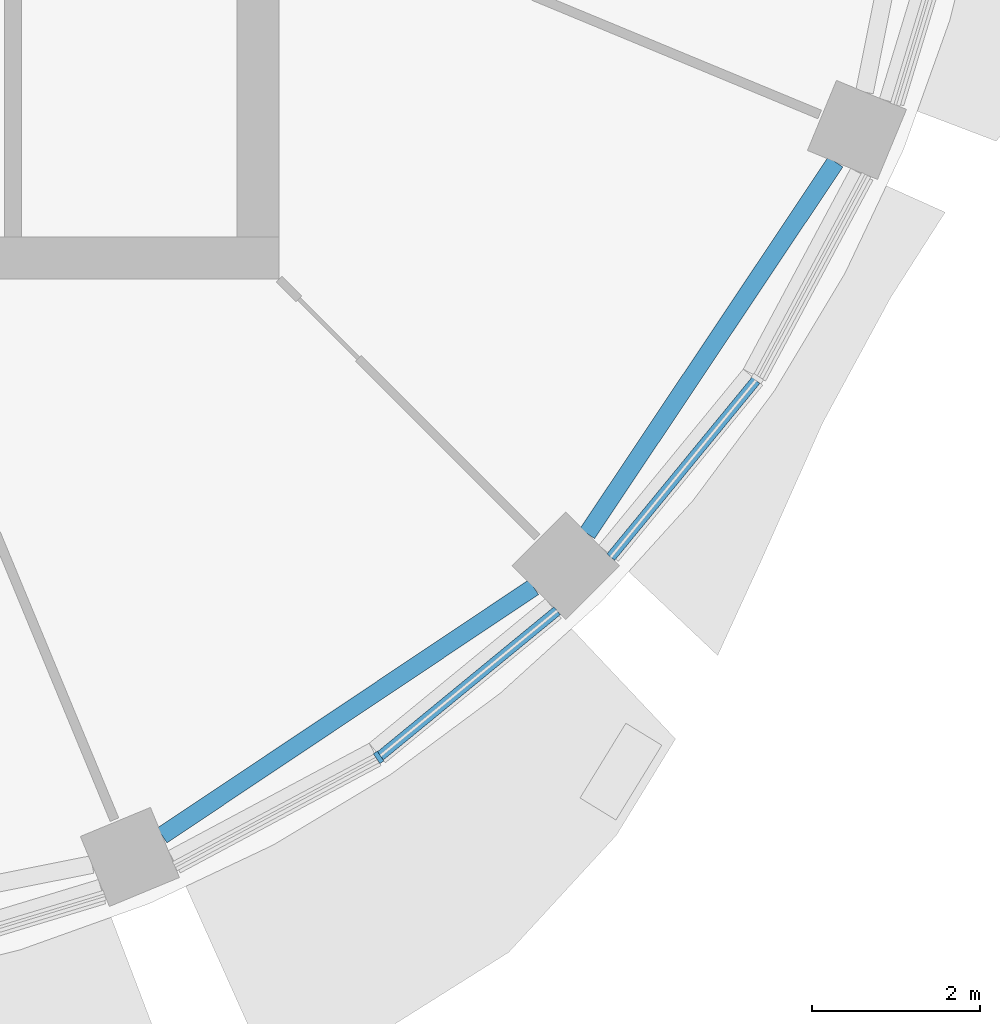
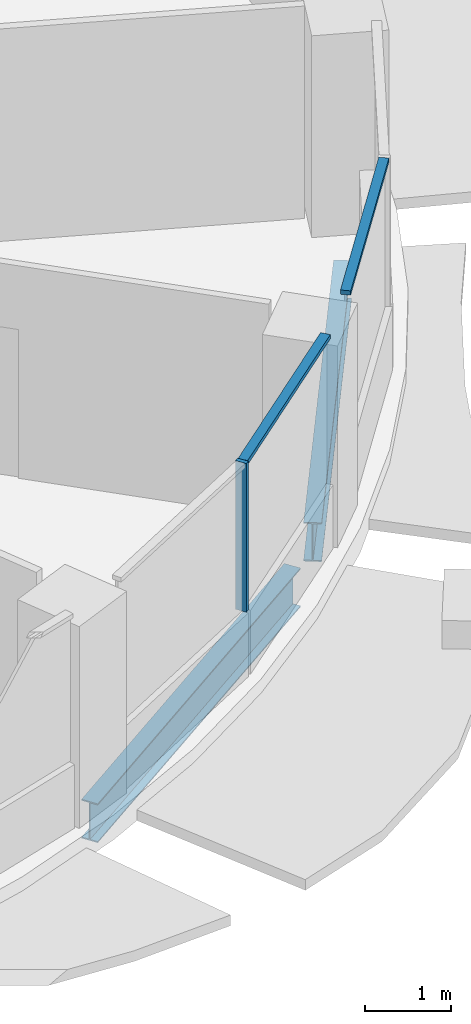
# One storey, part 3 of 15: 3 members, 2 beams, 2 elements without a shape of their own.
"""IFC4 building model written with IfcOpenShell, lengths in metres."""

from ifc_helpers import new_model, si_unit, direction, frame, origin, origin_2d, place, context, subcontext, project, spatial, rectangle, i_section, extrude, material, material_profile, profile_set, type_object, element, aggregate, save


model = new_model("IFC4")

# Units and contexts
model_context = context("Model", 3, precision=1e-05, world=origin(), true_north=direction((0.0, 1.0)))
body_context = subcontext(model_context, "Body", "Model", "MODEL_VIEW")
ifc_project = project(units=[si_unit("LENGTHUNIT", "METRE"), si_unit("AREAUNIT", "SQUARE_METRE"), si_unit("VOLUMEUNIT", "CUBIC_METRE"), si_unit("PLANEANGLEUNIT", "RADIAN"), si_unit("MASSUNIT", "GRAM", prefix="KILO")], contexts=[model_context])

# Site, building, storey
site_placement = place(None, origin())
site = spatial("IfcSite", under=ifc_project, at=site_placement, CompositionType="ELEMENT")
building_placement = place(site_placement, origin())
building = spatial("IfcBuilding", under=site, at=building_placement, Name="Polderwave Tower", CompositionType="ELEMENT")
storey_placement = place(building_placement, frame((0.0, 0.0, 211.10009765625)))
storey = spatial("IfcBuildingStorey", under=building, at=storey_placement, Name="L57", CompositionType="ELEMENT", Elevation=211.10009765625)

# Curtain wall, members
ifc_material_1 = material(Name="Aluminium 6063-T6 and glass", Category="aluminium")
curtain_wall_type = type_object("IfcCurtainWallType", Name="Office ribbon glazing wall", PredefinedType="NOTDEFINED", material=ifc_material_1)
curtain_wall_1_placement = place(storey_placement, origin())
curtain_wall_1 = element("IfcCurtainWall", 1, at=curtain_wall_1_placement, inside=storey, type_object=curtain_wall_type, Name="CW3 L57 13", PredefinedType="NOTDEFINED")
ifc_material_2 = material(Name="Aluminium 6063-T6", Category="aluminium")
ifc_material_profile_1 = material_profile(ifc_material_2, rectangle(XDim=0.139892578125, YDim=0.054931640625, at=origin_2d()), Name="AL 55x140")
ifc_profile_set_1 = profile_set([ifc_material_profile_1], Name="Aluminium 6063-T6")
member_type_1 = type_object("IfcMemberType", Name="Office ribbon glazing mullion 55x140", PredefinedType="MULLION", material=ifc_profile_set_1)
member_1_placement = place(storey_placement, frame((9.055908203125, -13.552978515625, 0.89990234375), z_axis=(0.0, 0.0, 1.0), x_axis=(-0.555592000653, 0.831455067223, 0.0)))
member_1 = element("IfcMember", 2, at=member_1_placement, type_object=member_type_1, Name="CW3 mullion 1", PredefinedType="MULLION", context=body_context, shape_type="SweptSolid", body=[
    extrude(rectangle(XDim=0.139892578125, YDim=0.054931640625, at=origin_2d()), origin(), (0.0, 0.0, 1.0), 2.10009765625),
])
ifc_material_profile_2 = material_profile(ifc_material_2, rectangle(XDim=0.1201171875, YDim=0.06005859375, at=origin_2d()), Name="AL 60x120")
ifc_profile_set_2 = profile_set([ifc_material_profile_2], Name="Aluminium 6063-T6")
member_type_2 = type_object("IfcMemberType", Name="Office ribbon glazing transom 60x120", PredefinedType="USERDEFINED", material=ifc_profile_set_2)
member_2_placement = place(storey_placement, frame((9.077392578125, -13.53564453125, 2.969970703125), z_axis=(0.772946726022, 0.634470928201, 0.0), x_axis=(-0.634470928201, 0.772946726022, 0.0)))
member_2 = element("IfcMember", 3, at=member_2_placement, type_object=member_type_2, Name="CW3 transom 2", ObjectType="TRANSOM", PredefinedType="USERDEFINED", context=body_context, shape_type="SweptSolid", body=[
    extrude(rectangle(XDim=0.1201171875, YDim=0.06005859375, at=origin_2d()), origin(), (0.0, 0.0, 1.0), 2.715087890625),
])
aggregate(curtain_wall_1, [member_1, member_2])

# Curtain wall, member
curtain_wall_2_placement = place(storey_placement, origin())
curtain_wall_2 = element("IfcCurtainWall", 4, at=curtain_wall_2_placement, inside=storey, type_object=curtain_wall_type, Name="CW3 L57 14", PredefinedType="NOTDEFINED")
member_3_placement = place(storey_placement, frame((11.81298828125, -11.176025390625, 2.969970703125), z_axis=(0.634470928201, 0.772946726022, 0.0), x_axis=(-0.772946726022, 0.634470928201, 0.0)))
member_3 = element("IfcMember", 5, at=member_3_placement, type_object=member_type_2, Name="CW3 transom 1", ObjectType="TRANSOM", PredefinedType="USERDEFINED", context=body_context, shape_type="SweptSolid", body=[
    extrude(rectangle(XDim=0.1201171875, YDim=0.06005859375, at=origin_2d()), origin(), (0.0, 0.0, 1.0), 2.715087890625),
])
aggregate(curtain_wall_2, [member_3])

# Beams
ifc_material_3 = material(Name="Steel S355", Category="steel")
ifc_material_profile_3 = material_profile(ifc_material_3, i_section(OverallWidth=0.2099609375, OverallDepth=0.550048828125, WebThickness=0.010986328125, FlangeThickness=0.01708984375, at=origin_2d()), Name="IPE 550")
ifc_profile_set_3 = profile_set([ifc_material_profile_3], Name="Steel S355")
beam_type = type_object("IfcBeamType", Name="RING BEAM IPE 550", PredefinedType="BEAM", material=ifc_profile_set_3)
for number, where, z_axis, x_axis, name in (
    (6, (6.4853515625, -14.48095703125, -0.625), (0.831469356963, 0.555570615162, 0.0), (-0.555570615162, 0.831469356963, 0.0), "ST-RB-L57-13"),
    (7, (11.533203125, -10.89697265625, -0.625), (0.555570615162, 0.831469356963, 0.0), (-0.831469356963, 0.555570615162, 0.0), "ST-RB-L57-14"),
):
    element("IfcBeam", number, at=place(storey_placement, frame(where, z_axis=z_axis, x_axis=x_axis)), inside=storey, type_object=beam_type, Name=name, PredefinedType="BEAM", context=body_context, shape_type="SweptSolid", body=[
        extrude(i_section(OverallWidth=0.2099609375, OverallDepth=0.550048828125, WebThickness=0.010986328125, FlangeThickness=0.01708984375, at=origin_2d()), origin(), (0.0, 0.0, 1.0), 5.305908203125),
    ])

save(model, "model.ifc")
